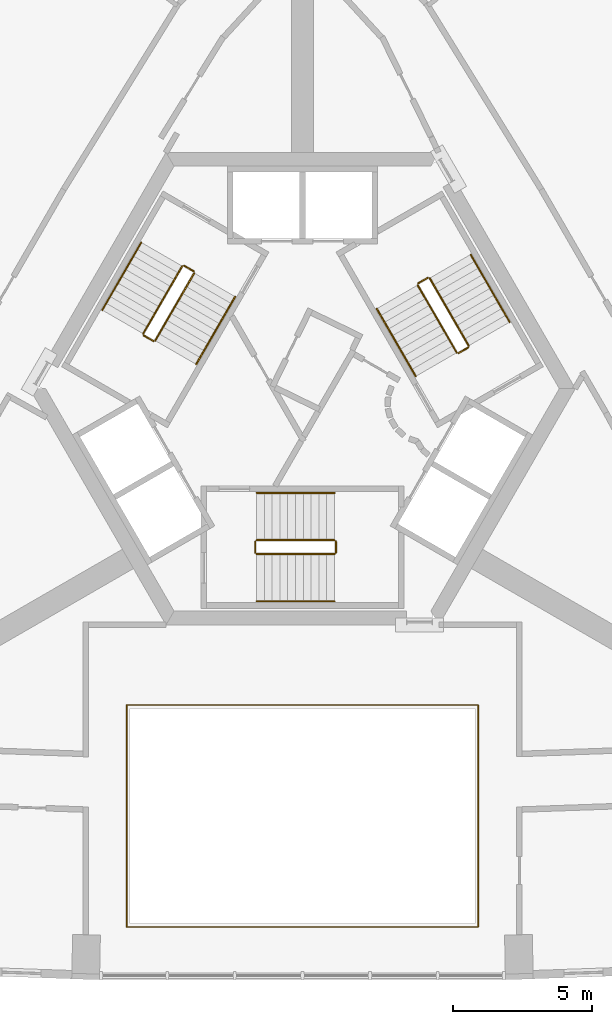
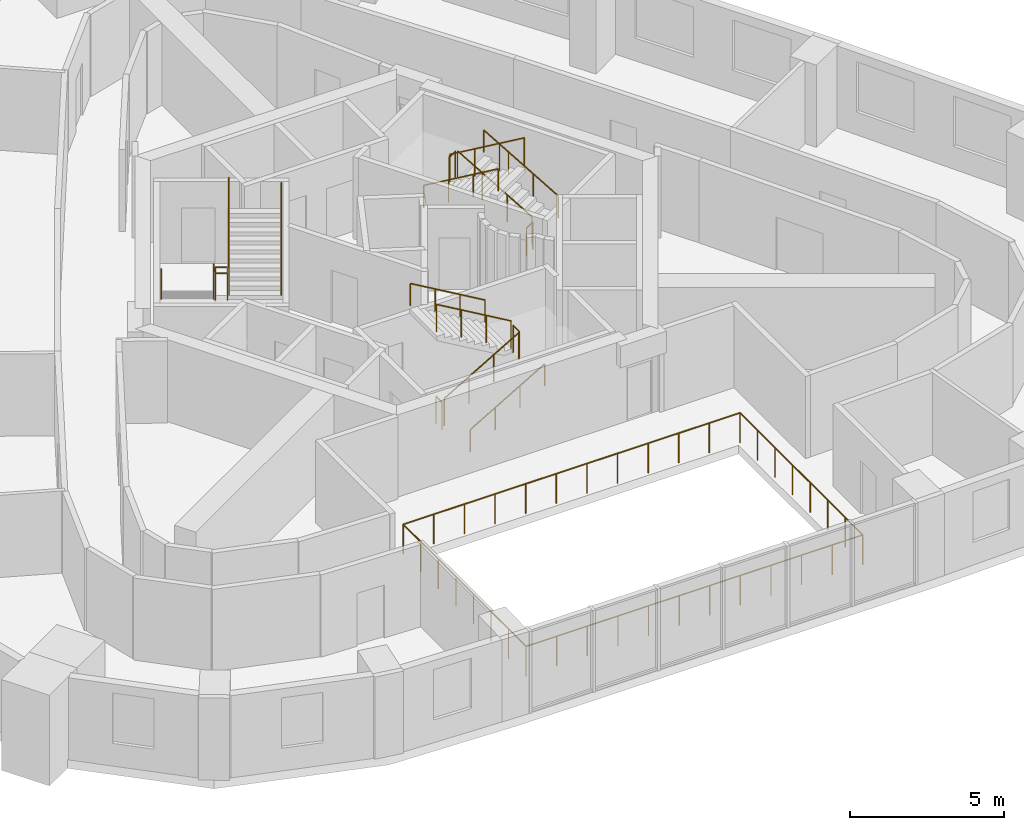
# One storey, part 8 of 8: 19 railings.
"""IFC4 building model written with IfcOpenShell, lengths in metres."""

from ifc_helpers import new_model, si_unit, direction, frame, origin, origin_2d, place, context, subcontext, project, spatial, circle, extrude, material, type_object, element, save


model = new_model("IFC4")

# Units and contexts
model_context = context("Model", 3, precision=1e-05, world=origin(), true_north=direction((0.0, 1.0)))
body_context = subcontext(model_context, "Body", "Model", "MODEL_VIEW")
ifc_project = project(units=[si_unit("LENGTHUNIT", "METRE"), si_unit("AREAUNIT", "SQUARE_METRE"), si_unit("VOLUMEUNIT", "CUBIC_METRE"), si_unit("PLANEANGLEUNIT", "RADIAN"), si_unit("MASSUNIT", "GRAM", prefix="KILO")], contexts=[model_context])

# Site, building, storey
site_placement = place(None, origin())
site = spatial("IfcSite", under=ifc_project, at=site_placement, CompositionType="ELEMENT")
building_placement = place(site_placement, origin())
building = spatial("IfcBuilding", under=site, at=building_placement, Name="Entoto Arch Interchange Tower", CompositionType="ELEMENT")
storey_placement = place(building_placement, frame((0.0, 0.0, 311.60009765625)))
storey = spatial("IfcBuildingStorey", under=building, at=storey_placement, Name="L73", CompositionType="ELEMENT", Elevation=311.60009765625)

# Railings
ifc_material = material(Name="Stainless steel 1.4301", Category="steel")
railing_type_1 = type_object("IfcRailingType", Name="ATRIUM GUARD 1200 STEEL AND GLASS", PredefinedType="GUARDRAIL", material=ifc_material)
railing_1_placement = place(storey_placement, frame((6.320068359375, -16.865966796875, 0.0)))
element("IfcRailing", 1, at=railing_1_placement, inside=storey, type_object=railing_type_1, Name="Atrium guard L73", PredefinedType="GUARDRAIL", context=body_context, shape_type="SweptSolid", body=[
    extrude(circle(Radius=0.02392578125, at=origin_2d()), frame((0.0, 0.0, 1.17578125), z_axis=(-1.0, 0.0, 0.0), x_axis=(0.0, -1.0, 0.0)), (0.0, 0.0, 1.0), 12.64013671875),
    extrude(circle(Radius=0.02392578125, at=origin_2d()), frame((-12.64013671875, 0.0, 1.17578125), z_axis=(0.0, 1.0, 0.0), x_axis=(-1.0, 0.0, 0.0)), (0.0, 0.0, 1.0), 7.986083984375),
    extrude(circle(Radius=0.02392578125, at=origin_2d()), frame((-12.64013671875, 7.986083984375, 1.17578125), z_axis=(1.0, 0.0, 0.0), x_axis=(0.0, 1.0, 0.0)), (0.0, 0.0, 1.0), 12.64013671875),
    extrude(circle(Radius=0.02392578125, at=origin_2d()), frame((0.0, 7.986083984375, 1.17578125), z_axis=(0.0, -1.0, 0.0), x_axis=(1.0, 0.0, 0.0)), (0.0, 0.0, 1.0), 7.986083984375),
    extrude(circle(Radius=0.02099609375, at=origin_2d()), origin(), (0.0, 0.0, 1.0), 1.15185546875),
    extrude(circle(Radius=0.02099609375, at=origin_2d()), frame((-1.149169921875, 0.0, 0.0)), (0.0, 0.0, 1.0), 1.15185546875),
    extrude(circle(Radius=0.02099609375, at=origin_2d()), frame((-2.298095703125, 0.0, 0.0)), (0.0, 0.0, 1.0), 1.15185546875),
    extrude(circle(Radius=0.02099609375, at=origin_2d()), frame((-3.447265625, 0.0, 0.0)), (0.0, 0.0, 1.0), 1.15185546875),
    extrude(circle(Radius=0.02099609375, at=origin_2d()), frame((-4.596435546875, 0.0, 0.0)), (0.0, 0.0, 1.0), 1.15185546875),
    extrude(circle(Radius=0.02099609375, at=origin_2d()), frame((-5.74560546875, 0.0, 0.0)), (0.0, 0.0, 1.0), 1.15185546875),
    extrude(circle(Radius=0.02099609375, at=origin_2d()), frame((-6.89453125, 0.0, 0.0)), (0.0, 0.0, 1.0), 1.15185546875),
    extrude(circle(Radius=0.02099609375, at=origin_2d()), frame((-8.043701171875, 0.0, 0.0)), (0.0, 0.0, 1.0), 1.15185546875),
    extrude(circle(Radius=0.02099609375, at=origin_2d()), frame((-9.19287109375, 0.0, 0.0)), (0.0, 0.0, 1.0), 1.15185546875),
    extrude(circle(Radius=0.02099609375, at=origin_2d()), frame((-10.342041015625, 0.0, 0.0)), (0.0, 0.0, 1.0), 1.15185546875),
    extrude(circle(Radius=0.02099609375, at=origin_2d()), frame((-11.490966796875, 0.0, 0.0)), (0.0, 0.0, 1.0), 1.15185546875),
    extrude(circle(Radius=0.02099609375, at=origin_2d()), frame((-12.64013671875, 0.0, 0.0)), (0.0, 0.0, 1.0), 1.15185546875),
    extrude(circle(Radius=0.02099609375, at=origin_2d()), frame((-12.64013671875, 1.140869140625, 0.0)), (0.0, 0.0, 1.0), 1.15185546875),
    extrude(circle(Radius=0.02099609375, at=origin_2d()), frame((-12.64013671875, 2.28173828125, 0.0)), (0.0, 0.0, 1.0), 1.15185546875),
    extrude(circle(Radius=0.02099609375, at=origin_2d()), frame((-12.64013671875, 3.422607421875, 0.0)), (0.0, 0.0, 1.0), 1.15185546875),
    extrude(circle(Radius=0.02099609375, at=origin_2d()), frame((-12.64013671875, 4.5634765625, 0.0)), (0.0, 0.0, 1.0), 1.15185546875),
    extrude(circle(Radius=0.02099609375, at=origin_2d()), frame((-12.64013671875, 5.704345703125, 0.0)), (0.0, 0.0, 1.0), 1.15185546875),
    extrude(circle(Radius=0.02099609375, at=origin_2d()), frame((-12.64013671875, 6.84521484375, 0.0)), (0.0, 0.0, 1.0), 1.15185546875),
    extrude(circle(Radius=0.02099609375, at=origin_2d()), frame((-12.64013671875, 7.986083984375, 0.0)), (0.0, 0.0, 1.0), 1.15185546875),
    extrude(circle(Radius=0.02099609375, at=origin_2d()), frame((-11.490966796875, 7.986083984375, 0.0)), (0.0, 0.0, 1.0), 1.15185546875),
    extrude(circle(Radius=0.02099609375, at=origin_2d()), frame((-10.342041015625, 7.986083984375, 0.0)), (0.0, 0.0, 1.0), 1.15185546875),
    extrude(circle(Radius=0.02099609375, at=origin_2d()), frame((-9.19287109375, 7.986083984375, 0.0)), (0.0, 0.0, 1.0), 1.15185546875),
    extrude(circle(Radius=0.02099609375, at=origin_2d()), frame((-8.043701171875, 7.986083984375, 0.0)), (0.0, 0.0, 1.0), 1.15185546875),
    extrude(circle(Radius=0.02099609375, at=origin_2d()), frame((-6.89453125, 7.986083984375, 0.0)), (0.0, 0.0, 1.0), 1.15185546875),
    extrude(circle(Radius=0.02099609375, at=origin_2d()), frame((-5.74560546875, 7.986083984375, 0.0)), (0.0, 0.0, 1.0), 1.15185546875),
    extrude(circle(Radius=0.02099609375, at=origin_2d()), frame((-4.596435546875, 7.986083984375, 0.0)), (0.0, 0.0, 1.0), 1.15185546875),
    extrude(circle(Radius=0.02099609375, at=origin_2d()), frame((-3.447265625, 7.986083984375, 0.0)), (0.0, 0.0, 1.0), 1.15185546875),
    extrude(circle(Radius=0.02099609375, at=origin_2d()), frame((-2.298095703125, 7.986083984375, 0.0)), (0.0, 0.0, 1.0), 1.15185546875),
    extrude(circle(Radius=0.02099609375, at=origin_2d()), frame((-1.149169921875, 7.986083984375, 0.0)), (0.0, 0.0, 1.0), 1.15185546875),
    extrude(circle(Radius=0.02099609375, at=origin_2d()), frame((0.0, 7.986083984375, 0.0)), (0.0, 0.0, 1.0), 1.15185546875),
    extrude(circle(Radius=0.02099609375, at=origin_2d()), frame((0.0, 6.84521484375, 0.0)), (0.0, 0.0, 1.0), 1.15185546875),
    extrude(circle(Radius=0.02099609375, at=origin_2d()), frame((0.0, 5.704345703125, 0.0)), (0.0, 0.0, 1.0), 1.15185546875),
    extrude(circle(Radius=0.02099609375, at=origin_2d()), frame((0.0, 4.5634765625, 0.0)), (0.0, 0.0, 1.0), 1.15185546875),
    extrude(circle(Radius=0.02099609375, at=origin_2d()), frame((0.0, 3.422607421875, 0.0)), (0.0, 0.0, 1.0), 1.15185546875),
    extrude(circle(Radius=0.02099609375, at=origin_2d()), frame((0.0, 2.28173828125, 0.0)), (0.0, 0.0, 1.0), 1.15185546875),
    extrude(circle(Radius=0.02099609375, at=origin_2d()), frame((0.0, 1.140869140625, 0.0)), (0.0, 0.0, 1.0), 1.15185546875),
])
railing_type_2 = type_object("IfcRailingType", Name="STAIR GUARD 1100 STEEL", PredefinedType="GUARDRAIL", material=ifc_material)
railing_2_placement = place(storey_placement, frame((-1.64990234375, -3.449951171875, 0.16357421875)))
element("IfcRailing", 2, at=railing_2_placement, inside=storey, type_object=railing_type_2, Name="L73 ST-S stair guard 1", PredefinedType="GUARDRAIL", context=body_context, shape_type="SweptSolid", body=[
    extrude(circle(Radius=0.02392578125, at=origin_2d()), frame((0.0, 0.0, 1.076171875), z_axis=(0.863374499697, 0.0, 0.504563646405), x_axis=(0.0, 1.0, 0.0)), (0.0, 0.0, 1.0), 3.242919921875),
    extrude(circle(Radius=0.02099609375, at=origin_2d()), origin(), (0.0, 0.0, 1.0), 1.052001953125),
    extrude(circle(Radius=0.02099609375, at=origin_2d()), frame((0.933349609375, 0.0, 0.54541015625)), (0.0, 0.0, 1.0), 1.052001953125),
    extrude(circle(Radius=0.02099609375, at=origin_2d()), frame((1.866455078125, 0.0, 1.0908203125)), (0.0, 0.0, 1.0), 1.052001953125),
    extrude(circle(Radius=0.02099609375, at=origin_2d()), frame((2.7998046875, 0.0, 1.63623046875)), (0.0, 0.0, 1.0), 1.052001953125),
])
railing_3_placement = place(storey_placement, frame((1.199951171875, -3.39990234375, 1.7998046875)))
element("IfcRailing", 3, at=railing_3_placement, inside=storey, type_object=railing_type_2, Name="L73 ST-S stair guard 2", PredefinedType="GUARDRAIL", context=body_context, shape_type="SweptSolid", body=[
    extrude(circle(Radius=0.02392578125, at=origin_2d()), frame((0.0, 0.0, 1.076171875), z_axis=(0.0, 1.0, 0.0), x_axis=(-1.0, 0.0, 0.0)), (0.0, 0.0, 1.0), 0.39990234375),
    extrude(circle(Radius=0.02099609375, at=origin_2d()), origin(), (0.0, 0.0, 1.0), 1.052001953125),
    extrude(circle(Radius=0.02099609375, at=origin_2d()), frame((0.0, 0.39990234375, 0.0)), (0.0, 0.0, 1.0), 1.052001953125),
])
railing_4_placement = place(storey_placement, frame((1.14990234375, -2.949951171875, 1.963623046875)))
element("IfcRailing", 4, at=railing_4_placement, inside=storey, type_object=railing_type_2, Name="L73 ST-S stair guard 3", PredefinedType="GUARDRAIL", context=body_context, shape_type="SweptSolid", body=[
    extrude(circle(Radius=0.02392578125, at=origin_2d()), frame((0.0, 0.0, 1.076171875), z_axis=(-0.863374499697, 0.0, 0.504563646405), x_axis=(0.0, -1.0, 0.0)), (0.0, 0.0, 1.0), 3.242919921875),
    extrude(circle(Radius=0.02099609375, at=origin_2d()), origin(), (0.0, 0.0, 1.0), 1.052001953125),
    extrude(circle(Radius=0.02099609375, at=origin_2d()), frame((-0.933349609375, 0.0, 0.54541015625)), (0.0, 0.0, 1.0), 1.052001953125),
    extrude(circle(Radius=0.02099609375, at=origin_2d()), frame((-1.866455078125, 0.0, 1.0908203125)), (0.0, 0.0, 1.0), 1.052001953125),
    extrude(circle(Radius=0.02099609375, at=origin_2d()), frame((-2.7998046875, 0.0, 1.63623046875)), (0.0, 0.0, 1.0), 1.052001953125),
])
railing_5_placement = place(storey_placement, frame((-1.699951171875, -3.39990234375, 0.0)))
element("IfcRailing", 5, at=railing_5_placement, inside=storey, type_object=railing_type_2, Name="L73 ST-S stair guard 4", PredefinedType="GUARDRAIL", context=body_context, shape_type="SweptSolid", body=[
    extrude(circle(Radius=0.02392578125, at=origin_2d()), frame((0.0, 0.0, 1.076171875), z_axis=(0.0, 1.0, 0.0), x_axis=(-1.0, 0.0, 0.0)), (0.0, 0.0, 1.0), 0.39990234375),
    extrude(circle(Radius=0.02099609375, at=origin_2d()), origin(), (0.0, 0.0, 1.0), 1.052001953125),
    extrude(circle(Radius=0.02099609375, at=origin_2d()), frame((0.0, 0.39990234375, 0.0)), (0.0, 0.0, 1.0), 1.052001953125),
])
railing_6_placement = place(storey_placement, frame((5.977783203125, 4.046142578125, 0.16357421875)))
element("IfcRailing", 6, at=railing_6_placement, inside=storey, type_object=railing_type_2, Name="L73 ST-NE stair guard 1", PredefinedType="GUARDRAIL", context=body_context, shape_type="SweptSolid", body=[
    extrude(circle(Radius=0.02392578125, at=origin_2d()), frame((0.0, 0.0, 1.076171875), z_axis=(-0.431677027627, 0.74771821388, 0.504551698492), x_axis=(-0.866034573852, -0.49998411664, 0.0)), (0.0, 0.0, 1.0), 3.242919921875),
    extrude(circle(Radius=0.02099609375, at=origin_2d()), origin(), (0.0, 0.0, 1.0), 1.052001953125),
    extrude(circle(Radius=0.02099609375, at=origin_2d()), frame((-0.466552734375, 0.808349609375, 0.54541015625)), (0.0, 0.0, 1.0), 1.052001953125),
    extrude(circle(Radius=0.02099609375, at=origin_2d()), frame((-0.933349609375, 1.616455078125, 1.0908203125)), (0.0, 0.0, 1.0), 1.052001953125),
    extrude(circle(Radius=0.02099609375, at=origin_2d()), frame((-1.39990234375, 2.4248046875, 1.63623046875)), (0.0, 0.0, 1.0), 1.052001953125),
])
railing_7_placement = place(storey_placement, frame((4.509521484375, 6.4892578125, 1.7998046875)))
element("IfcRailing", 7, at=railing_7_placement, inside=storey, type_object=railing_type_2, Name="L73 ST-NE stair guard 2", PredefinedType="GUARDRAIL", context=body_context, shape_type="SweptSolid", body=[
    extrude(circle(Radius=0.02392578125, at=origin_2d()), frame((0.0, 0.0, 1.076171875), z_axis=(-0.866094119867, -0.499880961361, 0.0), x_axis=(0.499880961361, -0.866094119867, 0.0)), (0.0, 0.0, 1.0), 0.39990234375),
    extrude(circle(Radius=0.02099609375, at=origin_2d()), origin(), (0.0, 0.0, 1.0), 1.052001953125),
    extrude(circle(Radius=0.02099609375, at=origin_2d()), frame((-0.346435546875, -0.199951171875, 0.0)), (0.0, 0.0, 1.0), 1.052001953125),
])
railing_8_placement = place(storey_placement, frame((4.144775390625, 6.220947265625, 1.963623046875)))
element("IfcRailing", 8, at=railing_8_placement, inside=storey, type_object=railing_type_2, Name="L73 ST-NE stair guard 3", PredefinedType="GUARDRAIL", context=body_context, shape_type="SweptSolid", body=[
    extrude(circle(Radius=0.02392578125, at=origin_2d()), frame((0.0, 0.0, 1.076171875), z_axis=(0.431738279637, -0.747693913401, 0.504535300807), x_axis=(0.865996816683, 0.500049511043, 0.0)), (0.0, 0.0, 1.0), 3.2431640625),
    extrude(circle(Radius=0.02099609375, at=origin_2d()), origin(), (0.0, 0.0, 1.0), 1.052001953125),
    extrude(circle(Radius=0.02099609375, at=origin_2d()), frame((0.466796875, -0.808349609375, 0.54541015625)), (0.0, 0.0, 1.0), 1.052001953125),
    extrude(circle(Radius=0.02099609375, at=origin_2d()), frame((0.933349609375, -1.616455078125, 1.0908203125)), (0.0, 0.0, 1.0), 1.052001953125),
    extrude(circle(Radius=0.02099609375, at=origin_2d()), frame((1.400146484375, -2.4248046875, 1.63623046875)), (0.0, 0.0, 1.0), 1.052001953125),
])
railing_9_placement = place(storey_placement, frame((5.95947265625, 3.977783203125, 0.0)))
element("IfcRailing", 9, at=railing_9_placement, inside=storey, type_object=railing_type_2, Name="L73 ST-NE stair guard 4", PredefinedType="GUARDRAIL", context=body_context, shape_type="SweptSolid", body=[
    extrude(circle(Radius=0.02392578125, at=origin_2d()), frame((0.0, 0.0, 1.076171875), z_axis=(-0.866094119867, -0.499880961361, 0.0), x_axis=(0.499880961361, -0.866094119867, 0.0)), (0.0, 0.0, 1.0), 0.39990234375),
    extrude(circle(Radius=0.02099609375, at=origin_2d()), origin(), (0.0, 0.0, 1.0), 1.052001953125),
    extrude(circle(Radius=0.02099609375, at=origin_2d()), frame((-0.346435546875, -0.199951171875, 0.0)), (0.0, 0.0, 1.0), 1.052001953125),
])
railing_10_placement = place(storey_placement, frame((-4.327880859375, 6.904052734375, 0.16357421875)))
element("IfcRailing", 10, at=railing_10_placement, inside=storey, type_object=railing_type_2, Name="L73 ST-NW stair guard 1", PredefinedType="GUARDRAIL", context=body_context, shape_type="SweptSolid", body=[
    extrude(circle(Radius=0.02392578125, at=origin_2d()), frame((0.0, 0.0, 1.076171875), z_axis=(-0.43165272891, -0.747751404999, 0.504523297725), x_axis=(0.866056369097, -0.49994636267, 0.0)), (0.0, 0.0, 1.0), 3.2431640625),
    extrude(circle(Radius=0.02099609375, at=origin_2d()), origin(), (0.0, 0.0, 1.0), 1.052001953125),
    extrude(circle(Radius=0.02099609375, at=origin_2d()), frame((-0.466552734375, -0.808349609375, 0.54541015625)), (0.0, 0.0, 1.0), 1.052001953125),
    extrude(circle(Radius=0.02099609375, at=origin_2d()), frame((-0.933349609375, -1.61669921875, 1.0908203125)), (0.0, 0.0, 1.0), 1.052001953125),
    extrude(circle(Radius=0.02099609375, at=origin_2d()), frame((-1.39990234375, -2.425048828125, 1.63623046875)), (0.0, 0.0, 1.0), 1.052001953125),
])
railing_11_placement = place(storey_placement, frame((-5.70947265625, 4.410888671875, 1.7998046875)))
element("IfcRailing", 11, at=railing_11_placement, inside=storey, type_object=railing_type_2, Name="L73 ST-NW stair guard 2", PredefinedType="GUARDRAIL", context=body_context, shape_type="SweptSolid", body=[
    extrude(circle(Radius=0.02392578125, at=origin_2d()), frame((0.0, 0.0, 1.076171875), z_axis=(0.865829829939, -0.500338590944, 0.0), x_axis=(0.500338590944, 0.865829829939, 0.0)), (0.0, 0.0, 1.0), 0.400146484375),
    extrude(circle(Radius=0.02099609375, at=origin_2d()), origin(), (0.0, 0.0, 1.0), 1.052001953125),
    extrude(circle(Radius=0.02099609375, at=origin_2d()), frame((0.346435546875, -0.2001953125, 0.0)), (0.0, 0.0, 1.0), 1.052001953125),
])
railing_12_placement = place(storey_placement, frame((-5.294921875, 4.22900390625, 1.963623046875)))
element("IfcRailing", 12, at=railing_12_placement, inside=storey, type_object=railing_type_2, Name="L73 ST-NW stair guard 3", PredefinedType="GUARDRAIL", context=body_context, shape_type="SweptSolid", body=[
    extrude(circle(Radius=0.02392578125, at=origin_2d()), frame((0.0, 0.0, 1.076171875), z_axis=(0.431713979052, 0.747727106176, 0.504506902808), x_axis=(-0.866018616679, 0.500011755427, 0.0)), (0.0, 0.0, 1.0), 3.2431640625),
    extrude(circle(Radius=0.02099609375, at=origin_2d()), origin(), (0.0, 0.0, 1.0), 1.052001953125),
    extrude(circle(Radius=0.02099609375, at=origin_2d()), frame((0.466796875, 0.808349609375, 0.54541015625)), (0.0, 0.0, 1.0), 1.052001953125),
    extrude(circle(Radius=0.02099609375, at=origin_2d()), frame((0.933349609375, 1.61669921875, 1.0908203125)), (0.0, 0.0, 1.0), 1.052001953125),
    extrude(circle(Radius=0.02099609375, at=origin_2d()), frame((1.400146484375, 2.425048828125, 1.63623046875)), (0.0, 0.0, 1.0), 1.052001953125),
])
railing_13_placement = place(storey_placement, frame((-4.259521484375, 6.92236328125, 0.0)))
element("IfcRailing", 13, at=railing_13_placement, inside=storey, type_object=railing_type_2, Name="L73 ST-NW stair guard 4", PredefinedType="GUARDRAIL", context=body_context, shape_type="SweptSolid", body=[
    extrude(circle(Radius=0.02392578125, at=origin_2d()), frame((0.0, 0.0, 1.076171875), z_axis=(0.865829829939, -0.500338590944, 0.0), x_axis=(0.500338590944, 0.865829829939, 0.0)), (0.0, 0.0, 1.0), 0.400146484375),
    extrude(circle(Radius=0.02099609375, at=origin_2d()), origin(), (0.0, 0.0, 1.0), 1.052001953125),
    extrude(circle(Radius=0.02099609375, at=origin_2d()), frame((0.346435546875, -0.2001953125, 0.0)), (0.0, 0.0, 1.0), 1.052001953125),
])
railing_type_3 = type_object("IfcRailingType", Name="STAIR HANDRAIL 900 STEEL", PredefinedType="HANDRAIL", material=ifc_material)
railing_14_placement = place(storey_placement, frame((-1.64990234375, -5.14990234375, 0.16357421875)))
element("IfcRailing", 14, at=railing_14_placement, inside=storey, type_object=railing_type_3, Name="L73 ST-S stair handrail 1", PredefinedType="HANDRAIL", context=body_context, shape_type="SweptSolid", body=[
    extrude(circle(Radius=0.02392578125, at=origin_2d()), frame((0.0, 0.0, 0.8759765625), z_axis=(0.863374499697, 0.0, 0.504563646405), x_axis=(0.0, 1.0, 0.0)), (0.0, 0.0, 1.0), 3.242919921875),
    extrude(circle(Radius=0.02099609375, at=origin_2d()), origin(), (0.0, 0.0, 1.0), 0.851806640625),
    extrude(circle(Radius=0.02099609375, at=origin_2d()), frame((0.933349609375, 0.0, 0.54541015625)), (0.0, 0.0, 1.0), 0.851806640625),
    extrude(circle(Radius=0.02099609375, at=origin_2d()), frame((1.866455078125, 0.0, 1.0908203125)), (0.0, 0.0, 1.0), 0.851806640625),
    extrude(circle(Radius=0.02099609375, at=origin_2d()), frame((2.7998046875, 0.0, 1.63623046875)), (0.0, 0.0, 1.0), 0.851806640625),
])
railing_15_placement = place(storey_placement, frame((1.14990234375, -1.25, 1.963623046875)))
element("IfcRailing", 15, at=railing_15_placement, inside=storey, type_object=railing_type_3, Name="L73 ST-S stair handrail 2", PredefinedType="HANDRAIL", context=body_context, shape_type="SweptSolid", body=[
    extrude(circle(Radius=0.02392578125, at=origin_2d()), frame((0.0, 0.0, 0.8759765625), z_axis=(-0.863374499697, 0.0, 0.504563646405), x_axis=(0.0, -1.0, 0.0)), (0.0, 0.0, 1.0), 3.242919921875),
    extrude(circle(Radius=0.02099609375, at=origin_2d()), origin(), (0.0, 0.0, 1.0), 0.851806640625),
    extrude(circle(Radius=0.02099609375, at=origin_2d()), frame((-0.933349609375, 0.0, 0.54541015625)), (0.0, 0.0, 1.0), 0.851806640625),
    extrude(circle(Radius=0.02099609375, at=origin_2d()), frame((-1.866455078125, 0.0, 1.0908203125)), (0.0, 0.0, 1.0), 0.851806640625),
    extrude(circle(Radius=0.02099609375, at=origin_2d()), frame((-2.7998046875, 0.0, 1.63623046875)), (0.0, 0.0, 1.0), 0.851806640625),
])
railing_16_placement = place(storey_placement, frame((7.4501953125, 4.89599609375, 0.16357421875)))
element("IfcRailing", 16, at=railing_16_placement, inside=storey, type_object=railing_type_3, Name="L73 ST-NE stair handrail 1", PredefinedType="HANDRAIL", context=body_context, shape_type="SweptSolid", body=[
    extrude(circle(Radius=0.02392578125, at=origin_2d()), frame((0.0, 0.0, 0.8759765625), z_axis=(-0.431713979052, 0.747727106176, 0.504506902808), x_axis=(-0.866018616679, -0.500011755427, 0.0)), (0.0, 0.0, 1.0), 3.2431640625),
    extrude(circle(Radius=0.02099609375, at=origin_2d()), origin(), (0.0, 0.0, 1.0), 0.851806640625),
    extrude(circle(Radius=0.02099609375, at=origin_2d()), frame((-0.466796875, 0.808349609375, 0.54541015625)), (0.0, 0.0, 1.0), 0.851806640625),
    extrude(circle(Radius=0.02099609375, at=origin_2d()), frame((-0.933349609375, 1.61669921875, 1.0908203125)), (0.0, 0.0, 1.0), 0.851806640625),
    extrude(circle(Radius=0.02099609375, at=origin_2d()), frame((-1.400146484375, 2.425048828125, 1.63623046875)), (0.0, 0.0, 1.0), 0.851806640625),
])
railing_17_placement = place(storey_placement, frame((2.672607421875, 5.370849609375, 1.963623046875)))
element("IfcRailing", 17, at=railing_17_placement, inside=storey, type_object=railing_type_3, Name="L73 ST-NE stair handrail 2", PredefinedType="HANDRAIL", context=body_context, shape_type="SweptSolid", body=[
    extrude(circle(Radius=0.02392578125, at=origin_2d()), frame((0.0, 0.0, 0.8759765625), z_axis=(0.431677027627, -0.74771821388, 0.504551698492), x_axis=(0.866034573852, 0.49998411664, 0.0)), (0.0, 0.0, 1.0), 3.242919921875),
    extrude(circle(Radius=0.02099609375, at=origin_2d()), origin(), (0.0, 0.0, 1.0), 0.851806640625),
    extrude(circle(Radius=0.02099609375, at=origin_2d()), frame((0.466552734375, -0.808349609375, 0.54541015625)), (0.0, 0.0, 1.0), 0.851806640625),
    extrude(circle(Radius=0.02099609375, at=origin_2d()), frame((0.933349609375, -1.616455078125, 1.0908203125)), (0.0, 0.0, 1.0), 0.851806640625),
    extrude(circle(Radius=0.02099609375, at=origin_2d()), frame((1.39990234375, -2.4248046875, 1.63623046875)), (0.0, 0.0, 1.0), 0.851806640625),
])
railing_18_placement = place(storey_placement, frame((-5.800048828125, 7.75390625, 0.16357421875)))
element("IfcRailing", 18, at=railing_18_placement, inside=storey, type_object=railing_type_3, Name="L73 ST-NW stair handrail 1", PredefinedType="HANDRAIL", context=body_context, shape_type="SweptSolid", body=[
    extrude(circle(Radius=0.02392578125, at=origin_2d()), frame((0.0, 0.0, 0.8759765625), z_axis=(-0.431738279637, -0.747693913401, 0.504535300807), x_axis=(0.865996816683, -0.500049511043, 0.0)), (0.0, 0.0, 1.0), 3.2431640625),
    extrude(circle(Radius=0.02099609375, at=origin_2d()), origin(), (0.0, 0.0, 1.0), 0.851806640625),
    extrude(circle(Radius=0.02099609375, at=origin_2d()), frame((-0.466796875, -0.808349609375, 0.54541015625)), (0.0, 0.0, 1.0), 0.851806640625),
    extrude(circle(Radius=0.02099609375, at=origin_2d()), frame((-0.933349609375, -1.616455078125, 1.0908203125)), (0.0, 0.0, 1.0), 0.851806640625),
    extrude(circle(Radius=0.02099609375, at=origin_2d()), frame((-1.400146484375, -2.4248046875, 1.63623046875)), (0.0, 0.0, 1.0), 0.851806640625),
])
railing_19_placement = place(storey_placement, frame((-3.822509765625, 3.379150390625, 1.963623046875)))
element("IfcRailing", 19, at=railing_19_placement, inside=storey, type_object=railing_type_3, Name="L73 ST-NW stair handrail 2", PredefinedType="HANDRAIL", context=body_context, shape_type="SweptSolid", body=[
    extrude(circle(Radius=0.02392578125, at=origin_2d()), frame((0.0, 0.0, 0.8759765625), z_axis=(0.431677027627, 0.74771821388, 0.504551698492), x_axis=(-0.866034573852, 0.49998411664, 0.0)), (0.0, 0.0, 1.0), 3.242919921875),
    extrude(circle(Radius=0.02099609375, at=origin_2d()), origin(), (0.0, 0.0, 1.0), 0.851806640625),
    extrude(circle(Radius=0.02099609375, at=origin_2d()), frame((0.466552734375, 0.808349609375, 0.54541015625)), (0.0, 0.0, 1.0), 0.851806640625),
    extrude(circle(Radius=0.02099609375, at=origin_2d()), frame((0.933349609375, 1.616455078125, 1.0908203125)), (0.0, 0.0, 1.0), 0.851806640625),
    extrude(circle(Radius=0.02099609375, at=origin_2d()), frame((1.39990234375, 2.4248046875, 1.63623046875)), (0.0, 0.0, 1.0), 0.851806640625),
])

save(model, "model.ifc")
